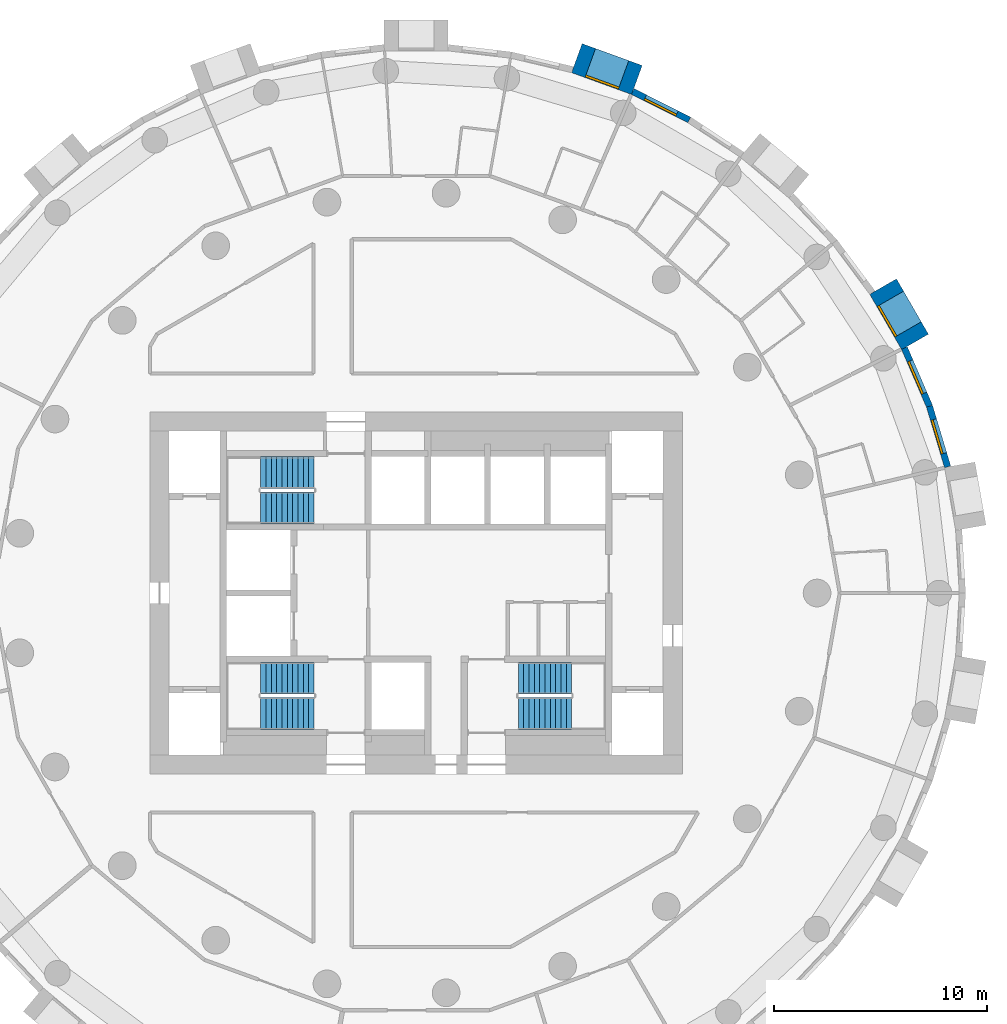
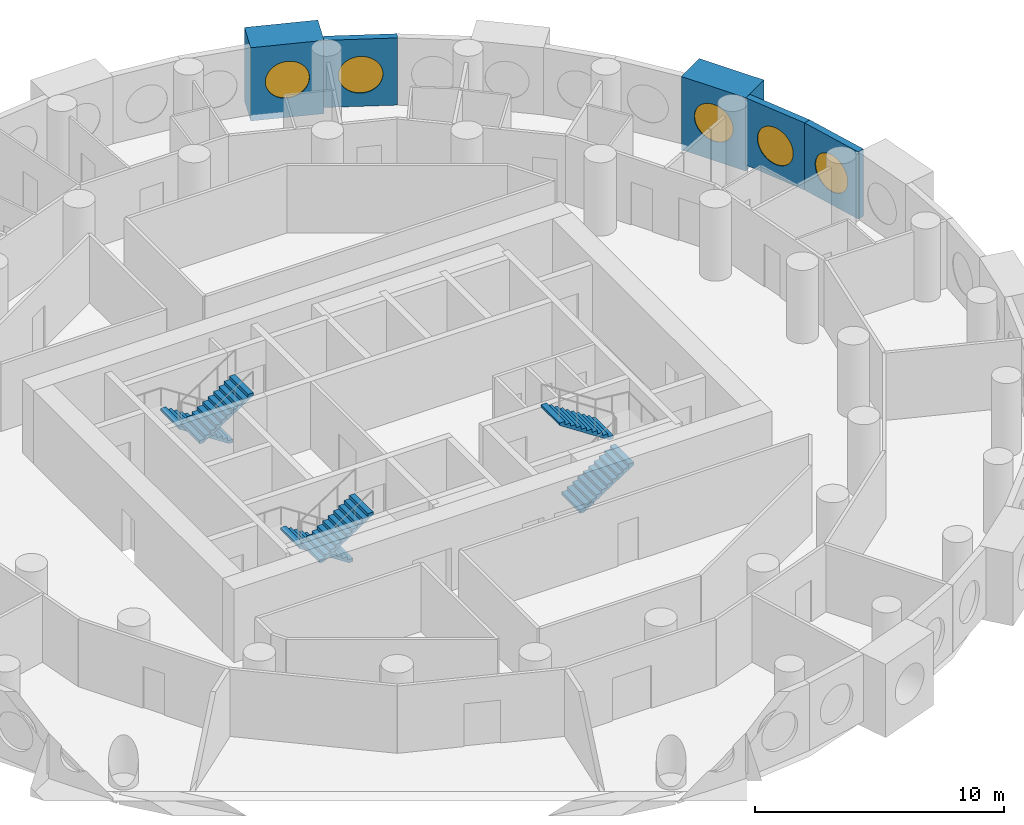
# One storey, part 8 of 9: 6 stair flights, 5 walls, 5 windows, 5 openings, 3 elements without a shape of their own.
"""IFC4 building model written with IfcOpenShell, lengths in metres."""

from ifc_helpers import new_model, si_unit, direction, frame, frame_2d, origin, origin_2d, place, context, subcontext, project, spatial, polyline, rectangle, circle, outline, extrude, material, layer, layer_set, type_object, element, fill, aggregate, save


model = new_model("IFC4")

# Units and contexts
model_context = context("Model", 3, precision=1e-05, world=origin(), true_north=direction((0.0, 1.0)))
body_context = subcontext(model_context, "Body", "Model", "MODEL_VIEW")
ifc_project = project(units=[si_unit("LENGTHUNIT", "METRE"), si_unit("AREAUNIT", "SQUARE_METRE"), si_unit("VOLUMEUNIT", "CUBIC_METRE"), si_unit("PLANEANGLEUNIT", "RADIAN"), si_unit("MASSUNIT", "GRAM", prefix="KILO")], contexts=[model_context])

# Site, building, storey
site_placement = place(None, origin())
site = spatial("IfcSite", under=ifc_project, at=site_placement, CompositionType="ELEMENT")
building_placement = place(site_placement, origin())
building = spatial("IfcBuilding", under=site, at=building_placement, Name="Tracery Tower", CompositionType="ELEMENT")
storey_placement = place(building_placement, frame((0.0, 0.0, 165.60009765625)))
storey = spatial("IfcBuildingStorey", under=building, at=storey_placement, Name="L42", CompositionType="ELEMENT", Elevation=165.60009765625)

# Wall, opening, window
ifc_material_1 = material(Name="Precast concrete C50/60", Category="concrete")
ifc_layer_1 = layer(ifc_material_1, 1.449951171875)
ifc_layer_set_1 = layer_set([ifc_layer_1], Name="Deep-set bay unit 3000 x 3600, slab edge 300")
wall_type_1 = type_object("IfcWallType", Name="Deep-set bay unit 3000 x 3600, slab edge 300", PredefinedType="ELEMENTEDWALL", material=ifc_layer_set_1)
wall_1_placement = place(storey_placement, frame((23.421630859375, 11.79052734375, -0.300048828125), z_axis=(0.0, 0.0, 1.0), x_axis=(-0.499990139034, 0.866031096941, 0.0)))
wall_1 = element("IfcWall", 1, at=wall_1_placement, inside=storey, type_object=wall_type_1, Name="Deep-set bay unit 5 at L42", PredefinedType="ELEMENTEDWALL", context=body_context, shape_type="SweptSolid", body=[
    extrude(rectangle(XDim=3.0, YDim=1.449951171875, at=frame_2d((1.5, 0.0))), origin(), (0.0, 0.0, 1.0), 3.599853515625),
])
opening_1_placement = place(wall_1_placement, frame((1.5, 0.0, 1.85009765625)))
opening_1 = element("IfcOpeningElement", 2, at=opening_1_placement, cuts=wall_1, Name="Opening WN1", PredefinedType="OPENING", context=body_context, shape_type="SweptSolid", body=[
    extrude(circle(Radius=0.9000244140625, at=origin_2d()), frame((0.0, 0.73486328125, 0.0), z_axis=(0.0, -1.0, 0.0), x_axis=(1.0, 0.0, 0.0)), (0.0, 0.0, 1.0), 1.469970703125),
])
ifc_material_2 = material(Name="Aluminium frame with tinted double glazing", Category="aluminium")
window_type = type_object("IfcWindowType", Name="Round window 1800", PartitioningType="SINGLE_PANEL", PredefinedType="WINDOW", material=ifc_material_2)
window_1_placement = place(opening_1_placement, origin())
window_1 = element("IfcWindow", 3, at=window_1_placement, inside=storey, type_object=window_type, Name="Round window 5 at L42", OverallHeight=1.800048828125, OverallWidth=1.800048828125, PartitioningType="SINGLE_PANEL", PredefinedType="WINDOW", context=body_context, shape_type="SweptSolid", body=[
    extrude(circle(Radius=0.9000244140625, at=origin_2d()), frame((0.0, 0.69482421875, 0.0), z_axis=(0.0, -1.0, 0.0), x_axis=(1.0, 0.0, 0.0)), (0.0, 0.0, 1.0), 0.10009765625),
])
fill(opening_1, window_1)

wall_2_placement = place(storey_placement, frame((10.36328125, 24.087158203125, -0.300048828125), z_axis=(0.0, 0.0, 1.0), x_axis=(-0.939686455819, 0.342037080957, 0.0)))
wall_2 = element("IfcWall", 4, at=wall_2_placement, inside=storey, type_object=wall_type_1, Name="Deep-set bay unit 11 at L42", PredefinedType="ELEMENTEDWALL", context=body_context, shape_type="SweptSolid", body=[
    extrude(rectangle(XDim=3.0, YDim=1.449951171875, at=frame_2d((1.5, 0.0))), origin(), (0.0, 0.0, 1.0), 3.599853515625),
])
opening_2_placement = place(wall_2_placement, frame((1.5, 0.0, 1.85009765625)))
opening_2 = element("IfcOpeningElement", 5, at=opening_2_placement, cuts=wall_2, Name="Opening WN1", PredefinedType="OPENING", context=body_context, shape_type="SweptSolid", body=[
    extrude(circle(Radius=0.9000244140625, at=origin_2d()), frame((0.0, 0.73486328125, 0.0), z_axis=(0.0, -1.0, 0.0), x_axis=(1.0, 0.0, 0.0)), (0.0, 0.0, 1.0), 1.469970703125),
])
window_2_placement = place(opening_2_placement, origin())
window_2 = element("IfcWindow", 6, at=window_2_placement, inside=storey, type_object=window_type, Name="Round window 11 at L42", OverallHeight=1.800048828125, OverallWidth=1.800048828125, PartitioningType="SINGLE_PANEL", PredefinedType="WINDOW", context=body_context, shape_type="SweptSolid", body=[
    extrude(circle(Radius=0.9000244140625, at=origin_2d()), frame((0.0, 0.69482421875, 0.0), z_axis=(0.0, -1.0, 0.0), x_axis=(1.0, 0.0, 0.0)), (0.0, 0.0, 1.0), 0.10009765625),
])
fill(opening_2, window_2)

ifc_material_3 = material(Name="Precast concrete C50/60", Category="concrete")
ifc_layer_2 = layer(ifc_material_3, 0.300048828125)
ifc_layer_set_2 = layer_set([ifc_layer_2], Name="Facade panel 3000 x 3300")
wall_type_2 = type_object("IfcWallType", Name="Facade panel 3000 x 3300", PredefinedType="SOLIDWALL", material=ifc_layer_set_2)
wall_3_placement = place(storey_placement, frame((24.953369140625, 5.924072265625, 0.0), z_axis=(0.0, 0.0, 1.0), x_axis=(-0.286782750849, 0.957995643944, 0.0)))
wall_3 = element("IfcWall", 7, at=wall_3_placement, inside=storey, type_object=wall_type_2, Name="Facade panel 3 at L42", PredefinedType="SOLIDWALL", context=body_context, shape_type="SweptSolid", body=[
    extrude(rectangle(XDim=2.97265625, YDim=0.300048828125, at=frame_2d((1.486328125, 0.0))), origin(), (0.0, 0.0, 1.0), 3.2998046875),
])
opening_3_placement = place(wall_3_placement, frame((1.486328125, 0.0, 1.5498046875)))
opening_3 = element("IfcOpeningElement", 8, at=opening_3_placement, cuts=wall_3, Name="Opening WN1", PredefinedType="OPENING", context=body_context, shape_type="SweptSolid", body=[
    extrude(circle(Radius=0.9000244140625, at=origin_2d()), frame((0.0, 0.159912109375, 0.0), z_axis=(0.0, -1.0, 0.0), x_axis=(1.0, 0.0, 0.0)), (0.0, 0.0, 1.0), 0.320068359375),
])
window_3_placement = place(opening_3_placement, origin())
window_3 = element("IfcWindow", 9, at=window_3_placement, inside=storey, type_object=window_type, Name="Round window 3 at L42", OverallHeight=1.800048828125, OverallWidth=1.800048828125, PartitioningType="SINGLE_PANEL", PredefinedType="WINDOW", context=body_context, shape_type="SweptSolid", body=[
    extrude(circle(Radius=0.9000244140625, at=origin_2d()), frame((0.0, 0.1201171875, 0.0), z_axis=(0.0, -1.0, 0.0), x_axis=(1.0, 0.0, 0.0)), (0.0, 0.0, 1.0), 0.10009765625),
])
fill(opening_3, window_3)

wall_4_placement = place(storey_placement, frame((24.100830078125, 8.77197265625, 0.0), z_axis=(0.0, 0.0, 1.0), x_axis=(-0.396148129016, 0.918186614952, 0.0)))
wall_4 = element("IfcWall", 10, at=wall_4_placement, inside=storey, type_object=wall_type_2, Name="Facade panel 4 at L42", PredefinedType="SOLIDWALL", context=body_context, shape_type="SweptSolid", body=[
    extrude(rectangle(XDim=2.972900390625, YDim=0.300048828125, at=frame_2d((1.486328125, 0.0))), origin(), (0.0, 0.0, 1.0), 3.2998046875),
])
opening_4_placement = place(wall_4_placement, frame((1.486328125, 0.0, 1.5498046875)))
opening_4 = element("IfcOpeningElement", 11, at=opening_4_placement, cuts=wall_4, Name="Opening WN1", PredefinedType="OPENING", context=body_context, shape_type="SweptSolid", body=[
    extrude(circle(Radius=0.9000244140625, at=origin_2d()), frame((0.0, 0.159912109375, 0.0), z_axis=(0.0, -1.0, 0.0), x_axis=(1.0, 0.0, 0.0)), (0.0, 0.0, 1.0), 0.320068359375),
])
window_4_placement = place(opening_4_placement, origin())
window_4 = element("IfcWindow", 12, at=window_4_placement, inside=storey, type_object=window_type, Name="Round window 4 at L42", OverallHeight=1.800048828125, OverallWidth=1.800048828125, PartitioningType="SINGLE_PANEL", PredefinedType="WINDOW", context=body_context, shape_type="SweptSolid", body=[
    extrude(circle(Radius=0.9000244140625, at=origin_2d()), frame((0.0, 0.1201171875, 0.0), z_axis=(0.0, -1.0, 0.0), x_axis=(1.0, 0.0, 0.0)), (0.0, 0.0, 1.0), 0.10009765625),
])
fill(opening_4, window_4)

wall_5_placement = place(storey_placement, frame((12.82373046875, 22.21142578125, 0.0), z_axis=(0.0, 0.0, 1.0), x_axis=(-0.893637442555, 0.448789618045, 0.0)))
wall_5 = element("IfcWall", 13, at=wall_5_placement, inside=storey, type_object=wall_type_2, Name="Facade panel 10 at L42", PredefinedType="SOLIDWALL", context=body_context, shape_type="SweptSolid", body=[
    extrude(rectangle(XDim=2.972900390625, YDim=0.300048828125, at=frame_2d((1.486328125, 0.0))), origin(), (0.0, 0.0, 1.0), 3.2998046875),
])
opening_5_placement = place(wall_5_placement, frame((1.486328125, 0.0, 1.5498046875)))
opening_5 = element("IfcOpeningElement", 14, at=opening_5_placement, cuts=wall_5, Name="Opening WN1", PredefinedType="OPENING", context=body_context, shape_type="SweptSolid", body=[
    extrude(circle(Radius=0.9000244140625, at=origin_2d()), frame((0.0, 0.159912109375, 0.0), z_axis=(0.0, -1.0, 0.0), x_axis=(1.0, 0.0, 0.0)), (0.0, 0.0, 1.0), 0.320068359375),
])
window_5_placement = place(opening_5_placement, origin())
window_5 = element("IfcWindow", 15, at=window_5_placement, inside=storey, type_object=window_type, Name="Round window 10 at L42", OverallHeight=1.800048828125, OverallWidth=1.800048828125, PartitioningType="SINGLE_PANEL", PredefinedType="WINDOW", context=body_context, shape_type="SweptSolid", body=[
    extrude(circle(Radius=0.9000244140625, at=origin_2d()), frame((0.0, 0.1201171875, 0.0), z_axis=(0.0, -1.0, 0.0), x_axis=(1.0, 0.0, 0.0)), (0.0, 0.0, 1.0), 0.10009765625),
])
fill(opening_5, window_5)

# Stair, stair flights
ifc_material_4 = material(Name="Concrete C32/40", Category="concrete")
stair_type = type_object("IfcStairType", Name="Core stair 22 risers", PredefinedType="HALF_TURN_STAIR", material=ifc_material_4)
stair_1_placement = place(storey_placement, origin())
stair_1 = element("IfcStair", 16, at=stair_1_placement, inside=storey, type_object=stair_type, Name="L42 stair ST1", PredefinedType="HALF_TURN_STAIR")
ifc_material_5 = material(Name="Concrete C32/40", Category="concrete")
stair_flight_type = type_object("IfcStairFlightType", Name="Core stair flight 11 risers", PredefinedType="STRAIGHT", material=ifc_material_5)
stair_flight_1_placement = place(storey_placement, frame((-4.800048828125, -4.0, 0.0), z_axis=(0.0, 0.0, 1.0), x_axis=(-1.0, 0.0, 0.0)))
stair_flight_1 = element("IfcStairFlight", 17, at=stair_flight_1_placement, type_object=stair_flight_type, Name="ST1 flight 1", NumberOfRisers=11, NumberOfTreads=10, PredefinedType="STRAIGHT", RiserHeight=0.163636364, TreadLength=0.25, context=body_context, shape_type="SweptSolid", body=[
    extrude(outline(polyline([(0.0, 0.0), (0.0, 0.002685546875), (0.0, 0.00537109375), (0.0, 0.008056640625), (0.0, 0.0107421875), (0.0, 0.013427734375), (0.0, 0.01611328125), (0.0, 0.018798828125), (0.0, 0.021484375), (0.0, 0.024169921875), (0.0, 0.02685546875), (0.0, 0.029541015625), (0.0, 0.0322265625), (0.0, 0.034912109375), (0.0, 0.03759765625), (0.0, 0.040283203125), (0.0, 0.04296875), (0.0, 0.045654296875), (0.0, 0.04833984375), (0.0, 0.051025390625), (0.0, 0.0537109375), (0.0, 0.056396484375), (0.0, 0.05908203125), (0.0, 0.061767578125), (0.0, 0.064453125), (0.0, 0.067138671875), (0.0, 0.06982421875), (0.0, 0.072509765625), (0.0, 0.0751953125), (0.0, 0.077880859375), (0.0, 0.08056640625), (0.0, 0.083251953125), (0.0, 0.0859375), (0.0, 0.088623046875), (0.0, 0.09130859375), (0.0, 0.093994140625), (0.0, 0.0966796875), (0.0, 0.099365234375), (0.0, 0.10205078125), (0.0, 0.104736328125), (0.0, 0.107421875), (0.0, 0.10986328125), (0.0, 0.112548828125), (0.0, 0.115234375), (0.0, 0.117919921875), (0.0, 0.12060546875), (0.0, 0.123291015625), (0.0, 0.1259765625), (0.0, 0.128662109375), (0.0, 0.13134765625), (0.0, 0.134033203125), (0.0, 0.13671875), (0.0, 0.139404296875), (0.0, 0.14208984375), (0.0, 0.144775390625), (0.0, 0.1474609375), (0.0, 0.150146484375), (0.0, 0.15283203125), (0.0, 0.155517578125), (0.0, 0.158203125), (0.0, 0.160888671875), (0.0, 0.16357421875), (0.25, 0.16357421875), (0.25, 0.327392578125), (0.5, 0.327392578125), (0.5, 0.490966796875), (0.75, 0.490966796875), (0.75, 0.654541015625), (1.0, 0.654541015625), (1.0, 0.818115234375), (1.25, 0.818115234375), (1.25, 0.98193359375), (1.5, 0.98193359375), (1.5, 1.1455078125), (1.75, 1.1455078125), (1.75, 1.30908203125), (2.0, 1.30908203125), (2.0, 1.47265625), (2.25, 1.47265625), (2.25, 1.636474609375), (2.5, 1.636474609375), (2.5, 1.634521484375), (2.5, 1.63232421875), (2.5, 1.63037109375), (2.5, 1.62841796875), (2.5, 1.62646484375), (2.5, 1.62451171875), (2.5, 1.62255859375), (2.5, 1.62060546875), (2.5, 1.61865234375), (2.5, 1.61669921875), (2.5, 1.61474609375), (2.5, 1.61279296875), (2.5, 1.61083984375), (2.5, 1.60888671875), (2.5, 1.60693359375), (2.5, 1.60498046875), (2.5, 1.60302734375), (2.5, 1.60107421875), (2.5, 1.59912109375), (2.5, 1.59716796875), (2.5, 1.59521484375), (2.5, 1.59326171875), (2.5, 1.59130859375), (2.5, 1.58935546875), (2.5, 1.58740234375), (2.5, 1.58544921875), (2.5, 1.58349609375), (2.5, 1.58154296875), (2.5, 1.57958984375), (2.5, 1.57763671875), (2.5, 1.57568359375), (2.5, 1.573486328125), (2.5, 1.571533203125), (2.5, 1.569580078125), (2.5, 1.567626953125), (2.5, 1.565673828125), (2.5, 1.563720703125), (2.5, 1.561767578125), (2.5, 1.559814453125), (2.5, 1.557861328125), (2.5, 1.555908203125), (2.5, 1.553955078125), (2.5, 1.552001953125), (2.5, 1.550048828125), (2.5, 1.548095703125), (2.5, 1.546142578125), (2.5, 1.544189453125), (2.5, 1.542236328125), (2.5, 1.540283203125), (2.5, 1.538330078125), (2.5, 1.536376953125), (2.5, 1.534423828125), (2.5, 1.532470703125), (2.5, 1.530517578125), (2.5, 1.528564453125), (2.5, 1.526611328125), (2.5, 1.524658203125), (2.5, 1.522705078125), (2.5, 1.520751953125), (2.5, 1.518798828125), (2.5, 1.516845703125), (0.182861328125, 0.0), (0.0, 0.0)])), frame((0.0, 0.75, 0.0), z_axis=(0.0, -1.0, 0.0), x_axis=(1.0, 0.0, 0.0)), (0.0, 0.0, 1.0), 1.5),
])
stair_flight_2_placement = place(storey_placement, frame((-7.300048828125, -5.64990234375, 1.7998046875), z_axis=(0.0, 0.0, 1.0), x_axis=(1.0, 0.0, 0.0)))
stair_flight_2 = element("IfcStairFlight", 18, at=stair_flight_2_placement, type_object=stair_flight_type, Name="ST1 flight 2", NumberOfRisers=11, NumberOfTreads=10, PredefinedType="STRAIGHT", RiserHeight=0.163636364, TreadLength=0.25, context=body_context, shape_type="SweptSolid", body=[
    extrude(outline(polyline([(0.0, 0.0), (0.0, 0.002685546875), (0.0, 0.00537109375), (0.0, 0.008056640625), (0.0, 0.0107421875), (0.0, 0.013427734375), (0.0, 0.01611328125), (0.0, 0.018798828125), (0.0, 0.021484375), (0.0, 0.024169921875), (0.0, 0.02685546875), (0.0, 0.029541015625), (0.0, 0.0322265625), (0.0, 0.034912109375), (0.0, 0.03759765625), (0.0, 0.040283203125), (0.0, 0.04296875), (0.0, 0.045654296875), (0.0, 0.04833984375), (0.0, 0.051025390625), (0.0, 0.0537109375), (0.0, 0.056396484375), (0.0, 0.05908203125), (0.0, 0.061767578125), (0.0, 0.064453125), (0.0, 0.067138671875), (0.0, 0.06982421875), (0.0, 0.072509765625), (0.0, 0.0751953125), (0.0, 0.077880859375), (0.0, 0.08056640625), (0.0, 0.083251953125), (0.0, 0.0859375), (0.0, 0.088623046875), (0.0, 0.09130859375), (0.0, 0.093994140625), (0.0, 0.0966796875), (0.0, 0.099365234375), (0.0, 0.10205078125), (0.0, 0.104736328125), (0.0, 0.107421875), (0.0, 0.10986328125), (0.0, 0.112548828125), (0.0, 0.115234375), (0.0, 0.117919921875), (0.0, 0.12060546875), (0.0, 0.123291015625), (0.0, 0.1259765625), (0.0, 0.128662109375), (0.0, 0.13134765625), (0.0, 0.134033203125), (0.0, 0.13671875), (0.0, 0.139404296875), (0.0, 0.14208984375), (0.0, 0.144775390625), (0.0, 0.1474609375), (0.0, 0.150146484375), (0.0, 0.15283203125), (0.0, 0.155517578125), (0.0, 0.158203125), (0.0, 0.160888671875), (0.0, 0.16357421875), (0.25, 0.16357421875), (0.25, 0.327392578125), (0.5, 0.327392578125), (0.5, 0.490966796875), (0.75, 0.490966796875), (0.75, 0.654541015625), (1.0, 0.654541015625), (1.0, 0.818115234375), (1.25, 0.818115234375), (1.25, 0.98193359375), (1.5, 0.98193359375), (1.5, 1.1455078125), (1.75, 1.1455078125), (1.75, 1.30908203125), (2.0, 1.30908203125), (2.0, 1.47265625), (2.25, 1.47265625), (2.25, 1.636474609375), (2.5, 1.636474609375), (2.5, 1.634521484375), (2.5, 1.63232421875), (2.5, 1.63037109375), (2.5, 1.62841796875), (2.5, 1.62646484375), (2.5, 1.62451171875), (2.5, 1.62255859375), (2.5, 1.62060546875), (2.5, 1.61865234375), (2.5, 1.61669921875), (2.5, 1.61474609375), (2.5, 1.61279296875), (2.5, 1.61083984375), (2.5, 1.60888671875), (2.5, 1.60693359375), (2.5, 1.60498046875), (2.5, 1.60302734375), (2.5, 1.60107421875), (2.5, 1.59912109375), (2.5, 1.59716796875), (2.5, 1.59521484375), (2.5, 1.59326171875), (2.5, 1.59130859375), (2.5, 1.58935546875), (2.5, 1.58740234375), (2.5, 1.58544921875), (2.5, 1.58349609375), (2.5, 1.58154296875), (2.5, 1.57958984375), (2.5, 1.57763671875), (2.5, 1.57568359375), (2.5, 1.573486328125), (2.5, 1.571533203125), (2.5, 1.569580078125), (2.5, 1.567626953125), (2.5, 1.565673828125), (2.5, 1.563720703125), (2.5, 1.561767578125), (2.5, 1.559814453125), (2.5, 1.557861328125), (2.5, 1.555908203125), (2.5, 1.553955078125), (2.5, 1.552001953125), (2.5, 1.550048828125), (2.5, 1.548095703125), (2.5, 1.546142578125), (2.5, 1.544189453125), (2.5, 1.542236328125), (2.5, 1.540283203125), (2.5, 1.538330078125), (2.5, 1.536376953125), (2.5, 1.534423828125), (2.5, 1.532470703125), (2.5, 1.530517578125), (2.5, 1.528564453125), (2.5, 1.526611328125), (2.5, 1.524658203125), (2.5, 1.522705078125), (2.5, 1.520751953125), (2.5, 1.518798828125), (2.5, 1.516845703125), (0.182861328125, 0.0), (0.0, 0.0)])), frame((0.0, 0.75, 0.0), z_axis=(0.0, -1.0, 0.0), x_axis=(1.0, 0.0, 0.0)), (0.0, 0.0, 1.0), 1.5),
])
aggregate(stair_1, [stair_flight_1, stair_flight_2])

stair_2_placement = place(storey_placement, origin())
stair_2 = element("IfcStair", 19, at=stair_2_placement, inside=storey, type_object=stair_type, Name="L42 stair ST3", PredefinedType="HALF_TURN_STAIR")
stair_flight_3_placement = place(storey_placement, frame((-4.800048828125, 5.64990234375, 0.0), z_axis=(0.0, 0.0, 1.0), x_axis=(-1.0, 0.0, 0.0)))
stair_flight_3 = element("IfcStairFlight", 20, at=stair_flight_3_placement, type_object=stair_flight_type, Name="ST3 flight 1", NumberOfRisers=11, NumberOfTreads=10, PredefinedType="STRAIGHT", RiserHeight=0.163636364, TreadLength=0.25, context=body_context, shape_type="SweptSolid", body=[
    extrude(outline(polyline([(0.0, 0.0), (0.0, 0.002685546875), (0.0, 0.00537109375), (0.0, 0.008056640625), (0.0, 0.0107421875), (0.0, 0.013427734375), (0.0, 0.01611328125), (0.0, 0.018798828125), (0.0, 0.021484375), (0.0, 0.024169921875), (0.0, 0.02685546875), (0.0, 0.029541015625), (0.0, 0.0322265625), (0.0, 0.034912109375), (0.0, 0.03759765625), (0.0, 0.040283203125), (0.0, 0.04296875), (0.0, 0.045654296875), (0.0, 0.04833984375), (0.0, 0.051025390625), (0.0, 0.0537109375), (0.0, 0.056396484375), (0.0, 0.05908203125), (0.0, 0.061767578125), (0.0, 0.064453125), (0.0, 0.067138671875), (0.0, 0.06982421875), (0.0, 0.072509765625), (0.0, 0.0751953125), (0.0, 0.077880859375), (0.0, 0.08056640625), (0.0, 0.083251953125), (0.0, 0.0859375), (0.0, 0.088623046875), (0.0, 0.09130859375), (0.0, 0.093994140625), (0.0, 0.0966796875), (0.0, 0.099365234375), (0.0, 0.10205078125), (0.0, 0.104736328125), (0.0, 0.107421875), (0.0, 0.10986328125), (0.0, 0.112548828125), (0.0, 0.115234375), (0.0, 0.117919921875), (0.0, 0.12060546875), (0.0, 0.123291015625), (0.0, 0.1259765625), (0.0, 0.128662109375), (0.0, 0.13134765625), (0.0, 0.134033203125), (0.0, 0.13671875), (0.0, 0.139404296875), (0.0, 0.14208984375), (0.0, 0.144775390625), (0.0, 0.1474609375), (0.0, 0.150146484375), (0.0, 0.15283203125), (0.0, 0.155517578125), (0.0, 0.158203125), (0.0, 0.160888671875), (0.0, 0.16357421875), (0.25, 0.16357421875), (0.25, 0.327392578125), (0.5, 0.327392578125), (0.5, 0.490966796875), (0.75, 0.490966796875), (0.75, 0.654541015625), (1.0, 0.654541015625), (1.0, 0.818115234375), (1.25, 0.818115234375), (1.25, 0.98193359375), (1.5, 0.98193359375), (1.5, 1.1455078125), (1.75, 1.1455078125), (1.75, 1.30908203125), (2.0, 1.30908203125), (2.0, 1.47265625), (2.25, 1.47265625), (2.25, 1.636474609375), (2.5, 1.636474609375), (2.5, 1.634521484375), (2.5, 1.63232421875), (2.5, 1.63037109375), (2.5, 1.62841796875), (2.5, 1.62646484375), (2.5, 1.62451171875), (2.5, 1.62255859375), (2.5, 1.62060546875), (2.5, 1.61865234375), (2.5, 1.61669921875), (2.5, 1.61474609375), (2.5, 1.61279296875), (2.5, 1.61083984375), (2.5, 1.60888671875), (2.5, 1.60693359375), (2.5, 1.60498046875), (2.5, 1.60302734375), (2.5, 1.60107421875), (2.5, 1.59912109375), (2.5, 1.59716796875), (2.5, 1.59521484375), (2.5, 1.59326171875), (2.5, 1.59130859375), (2.5, 1.58935546875), (2.5, 1.58740234375), (2.5, 1.58544921875), (2.5, 1.58349609375), (2.5, 1.58154296875), (2.5, 1.57958984375), (2.5, 1.57763671875), (2.5, 1.57568359375), (2.5, 1.573486328125), (2.5, 1.571533203125), (2.5, 1.569580078125), (2.5, 1.567626953125), (2.5, 1.565673828125), (2.5, 1.563720703125), (2.5, 1.561767578125), (2.5, 1.559814453125), (2.5, 1.557861328125), (2.5, 1.555908203125), (2.5, 1.553955078125), (2.5, 1.552001953125), (2.5, 1.550048828125), (2.5, 1.548095703125), (2.5, 1.546142578125), (2.5, 1.544189453125), (2.5, 1.542236328125), (2.5, 1.540283203125), (2.5, 1.538330078125), (2.5, 1.536376953125), (2.5, 1.534423828125), (2.5, 1.532470703125), (2.5, 1.530517578125), (2.5, 1.528564453125), (2.5, 1.526611328125), (2.5, 1.524658203125), (2.5, 1.522705078125), (2.5, 1.520751953125), (2.5, 1.518798828125), (2.5, 1.516845703125), (0.182861328125, 0.0), (0.0, 0.0)])), frame((0.0, 0.75, 0.0), z_axis=(0.0, -1.0, 0.0), x_axis=(1.0, 0.0, 0.0)), (0.0, 0.0, 1.0), 1.5),
])
stair_flight_4_placement = place(storey_placement, frame((-7.300048828125, 4.0, 1.7998046875), z_axis=(0.0, 0.0, 1.0), x_axis=(1.0, 0.0, 0.0)))
stair_flight_4 = element("IfcStairFlight", 21, at=stair_flight_4_placement, type_object=stair_flight_type, Name="ST3 flight 2", NumberOfRisers=11, NumberOfTreads=10, PredefinedType="STRAIGHT", RiserHeight=0.163636364, TreadLength=0.25, context=body_context, shape_type="SweptSolid", body=[
    extrude(outline(polyline([(0.0, 0.0), (0.0, 0.002685546875), (0.0, 0.00537109375), (0.0, 0.008056640625), (0.0, 0.0107421875), (0.0, 0.013427734375), (0.0, 0.01611328125), (0.0, 0.018798828125), (0.0, 0.021484375), (0.0, 0.024169921875), (0.0, 0.02685546875), (0.0, 0.029541015625), (0.0, 0.0322265625), (0.0, 0.034912109375), (0.0, 0.03759765625), (0.0, 0.040283203125), (0.0, 0.04296875), (0.0, 0.045654296875), (0.0, 0.04833984375), (0.0, 0.051025390625), (0.0, 0.0537109375), (0.0, 0.056396484375), (0.0, 0.05908203125), (0.0, 0.061767578125), (0.0, 0.064453125), (0.0, 0.067138671875), (0.0, 0.06982421875), (0.0, 0.072509765625), (0.0, 0.0751953125), (0.0, 0.077880859375), (0.0, 0.08056640625), (0.0, 0.083251953125), (0.0, 0.0859375), (0.0, 0.088623046875), (0.0, 0.09130859375), (0.0, 0.093994140625), (0.0, 0.0966796875), (0.0, 0.099365234375), (0.0, 0.10205078125), (0.0, 0.104736328125), (0.0, 0.107421875), (0.0, 0.10986328125), (0.0, 0.112548828125), (0.0, 0.115234375), (0.0, 0.117919921875), (0.0, 0.12060546875), (0.0, 0.123291015625), (0.0, 0.1259765625), (0.0, 0.128662109375), (0.0, 0.13134765625), (0.0, 0.134033203125), (0.0, 0.13671875), (0.0, 0.139404296875), (0.0, 0.14208984375), (0.0, 0.144775390625), (0.0, 0.1474609375), (0.0, 0.150146484375), (0.0, 0.15283203125), (0.0, 0.155517578125), (0.0, 0.158203125), (0.0, 0.160888671875), (0.0, 0.16357421875), (0.25, 0.16357421875), (0.25, 0.327392578125), (0.5, 0.327392578125), (0.5, 0.490966796875), (0.75, 0.490966796875), (0.75, 0.654541015625), (1.0, 0.654541015625), (1.0, 0.818115234375), (1.25, 0.818115234375), (1.25, 0.98193359375), (1.5, 0.98193359375), (1.5, 1.1455078125), (1.75, 1.1455078125), (1.75, 1.30908203125), (2.0, 1.30908203125), (2.0, 1.47265625), (2.25, 1.47265625), (2.25, 1.636474609375), (2.5, 1.636474609375), (2.5, 1.634521484375), (2.5, 1.63232421875), (2.5, 1.63037109375), (2.5, 1.62841796875), (2.5, 1.62646484375), (2.5, 1.62451171875), (2.5, 1.62255859375), (2.5, 1.62060546875), (2.5, 1.61865234375), (2.5, 1.61669921875), (2.5, 1.61474609375), (2.5, 1.61279296875), (2.5, 1.61083984375), (2.5, 1.60888671875), (2.5, 1.60693359375), (2.5, 1.60498046875), (2.5, 1.60302734375), (2.5, 1.60107421875), (2.5, 1.59912109375), (2.5, 1.59716796875), (2.5, 1.59521484375), (2.5, 1.59326171875), (2.5, 1.59130859375), (2.5, 1.58935546875), (2.5, 1.58740234375), (2.5, 1.58544921875), (2.5, 1.58349609375), (2.5, 1.58154296875), (2.5, 1.57958984375), (2.5, 1.57763671875), (2.5, 1.57568359375), (2.5, 1.573486328125), (2.5, 1.571533203125), (2.5, 1.569580078125), (2.5, 1.567626953125), (2.5, 1.565673828125), (2.5, 1.563720703125), (2.5, 1.561767578125), (2.5, 1.559814453125), (2.5, 1.557861328125), (2.5, 1.555908203125), (2.5, 1.553955078125), (2.5, 1.552001953125), (2.5, 1.550048828125), (2.5, 1.548095703125), (2.5, 1.546142578125), (2.5, 1.544189453125), (2.5, 1.542236328125), (2.5, 1.540283203125), (2.5, 1.538330078125), (2.5, 1.536376953125), (2.5, 1.534423828125), (2.5, 1.532470703125), (2.5, 1.530517578125), (2.5, 1.528564453125), (2.5, 1.526611328125), (2.5, 1.524658203125), (2.5, 1.522705078125), (2.5, 1.520751953125), (2.5, 1.518798828125), (2.5, 1.516845703125), (0.182861328125, 0.0), (0.0, 0.0)])), frame((0.0, 0.75, 0.0), z_axis=(0.0, -1.0, 0.0), x_axis=(1.0, 0.0, 0.0)), (0.0, 0.0, 1.0), 1.5),
])
aggregate(stair_2, [stair_flight_3, stair_flight_4])

stair_3_placement = place(storey_placement, origin())
stair_3 = element("IfcStair", 22, at=stair_3_placement, inside=storey, type_object=stair_type, Name="L42 stair ST2", PredefinedType="HALF_TURN_STAIR")
stair_flight_5_placement = place(storey_placement, frame((4.800048828125, -5.64990234375, 0.0), z_axis=(0.0, 0.0, 1.0), x_axis=(1.0, 0.0, 0.0)))
stair_flight_5 = element("IfcStairFlight", 23, at=stair_flight_5_placement, type_object=stair_flight_type, Name="ST2 flight 1", NumberOfRisers=11, NumberOfTreads=10, PredefinedType="STRAIGHT", RiserHeight=0.163636364, TreadLength=0.25, context=body_context, shape_type="SweptSolid", body=[
    extrude(outline(polyline([(0.0, 0.0), (0.0, 0.002685546875), (0.0, 0.00537109375), (0.0, 0.008056640625), (0.0, 0.0107421875), (0.0, 0.013427734375), (0.0, 0.01611328125), (0.0, 0.018798828125), (0.0, 0.021484375), (0.0, 0.024169921875), (0.0, 0.02685546875), (0.0, 0.029541015625), (0.0, 0.0322265625), (0.0, 0.034912109375), (0.0, 0.03759765625), (0.0, 0.040283203125), (0.0, 0.04296875), (0.0, 0.045654296875), (0.0, 0.04833984375), (0.0, 0.051025390625), (0.0, 0.0537109375), (0.0, 0.056396484375), (0.0, 0.05908203125), (0.0, 0.061767578125), (0.0, 0.064453125), (0.0, 0.067138671875), (0.0, 0.06982421875), (0.0, 0.072509765625), (0.0, 0.0751953125), (0.0, 0.077880859375), (0.0, 0.08056640625), (0.0, 0.083251953125), (0.0, 0.0859375), (0.0, 0.088623046875), (0.0, 0.09130859375), (0.0, 0.093994140625), (0.0, 0.0966796875), (0.0, 0.099365234375), (0.0, 0.10205078125), (0.0, 0.104736328125), (0.0, 0.107421875), (0.0, 0.10986328125), (0.0, 0.112548828125), (0.0, 0.115234375), (0.0, 0.117919921875), (0.0, 0.12060546875), (0.0, 0.123291015625), (0.0, 0.1259765625), (0.0, 0.128662109375), (0.0, 0.13134765625), (0.0, 0.134033203125), (0.0, 0.13671875), (0.0, 0.139404296875), (0.0, 0.14208984375), (0.0, 0.144775390625), (0.0, 0.1474609375), (0.0, 0.150146484375), (0.0, 0.15283203125), (0.0, 0.155517578125), (0.0, 0.158203125), (0.0, 0.160888671875), (0.0, 0.16357421875), (0.25, 0.16357421875), (0.25, 0.327392578125), (0.5, 0.327392578125), (0.5, 0.490966796875), (0.75, 0.490966796875), (0.75, 0.654541015625), (1.0, 0.654541015625), (1.0, 0.818115234375), (1.25, 0.818115234375), (1.25, 0.98193359375), (1.5, 0.98193359375), (1.5, 1.1455078125), (1.75, 1.1455078125), (1.75, 1.30908203125), (2.0, 1.30908203125), (2.0, 1.47265625), (2.25, 1.47265625), (2.25, 1.636474609375), (2.5, 1.636474609375), (2.5, 1.634521484375), (2.5, 1.63232421875), (2.5, 1.63037109375), (2.5, 1.62841796875), (2.5, 1.62646484375), (2.5, 1.62451171875), (2.5, 1.62255859375), (2.5, 1.62060546875), (2.5, 1.61865234375), (2.5, 1.61669921875), (2.5, 1.61474609375), (2.5, 1.61279296875), (2.5, 1.61083984375), (2.5, 1.60888671875), (2.5, 1.60693359375), (2.5, 1.60498046875), (2.5, 1.60302734375), (2.5, 1.60107421875), (2.5, 1.59912109375), (2.5, 1.59716796875), (2.5, 1.59521484375), (2.5, 1.59326171875), (2.5, 1.59130859375), (2.5, 1.58935546875), (2.5, 1.58740234375), (2.5, 1.58544921875), (2.5, 1.58349609375), (2.5, 1.58154296875), (2.5, 1.57958984375), (2.5, 1.57763671875), (2.5, 1.57568359375), (2.5, 1.573486328125), (2.5, 1.571533203125), (2.5, 1.569580078125), (2.5, 1.567626953125), (2.5, 1.565673828125), (2.5, 1.563720703125), (2.5, 1.561767578125), (2.5, 1.559814453125), (2.5, 1.557861328125), (2.5, 1.555908203125), (2.5, 1.553955078125), (2.5, 1.552001953125), (2.5, 1.550048828125), (2.5, 1.548095703125), (2.5, 1.546142578125), (2.5, 1.544189453125), (2.5, 1.542236328125), (2.5, 1.540283203125), (2.5, 1.538330078125), (2.5, 1.536376953125), (2.5, 1.534423828125), (2.5, 1.532470703125), (2.5, 1.530517578125), (2.5, 1.528564453125), (2.5, 1.526611328125), (2.5, 1.524658203125), (2.5, 1.522705078125), (2.5, 1.520751953125), (2.5, 1.518798828125), (2.5, 1.516845703125), (0.182861328125, 0.0), (0.0, 0.0)])), frame((0.0, 0.75, 0.0), z_axis=(0.0, -1.0, 0.0), x_axis=(1.0, 0.0, 0.0)), (0.0, 0.0, 1.0), 1.5),
])
stair_flight_6_placement = place(storey_placement, frame((7.300048828125, -4.0, 1.7998046875), z_axis=(0.0, 0.0, 1.0), x_axis=(-1.0, 0.0, 0.0)))
stair_flight_6 = element("IfcStairFlight", 24, at=stair_flight_6_placement, type_object=stair_flight_type, Name="ST2 flight 2", NumberOfRisers=11, NumberOfTreads=10, PredefinedType="STRAIGHT", RiserHeight=0.163636364, TreadLength=0.25, context=body_context, shape_type="SweptSolid", body=[
    extrude(outline(polyline([(0.0, 0.0), (0.0, 0.002685546875), (0.0, 0.00537109375), (0.0, 0.008056640625), (0.0, 0.0107421875), (0.0, 0.013427734375), (0.0, 0.01611328125), (0.0, 0.018798828125), (0.0, 0.021484375), (0.0, 0.024169921875), (0.0, 0.02685546875), (0.0, 0.029541015625), (0.0, 0.0322265625), (0.0, 0.034912109375), (0.0, 0.03759765625), (0.0, 0.040283203125), (0.0, 0.04296875), (0.0, 0.045654296875), (0.0, 0.04833984375), (0.0, 0.051025390625), (0.0, 0.0537109375), (0.0, 0.056396484375), (0.0, 0.05908203125), (0.0, 0.061767578125), (0.0, 0.064453125), (0.0, 0.067138671875), (0.0, 0.06982421875), (0.0, 0.072509765625), (0.0, 0.0751953125), (0.0, 0.077880859375), (0.0, 0.08056640625), (0.0, 0.083251953125), (0.0, 0.0859375), (0.0, 0.088623046875), (0.0, 0.09130859375), (0.0, 0.093994140625), (0.0, 0.0966796875), (0.0, 0.099365234375), (0.0, 0.10205078125), (0.0, 0.104736328125), (0.0, 0.107421875), (0.0, 0.10986328125), (0.0, 0.112548828125), (0.0, 0.115234375), (0.0, 0.117919921875), (0.0, 0.12060546875), (0.0, 0.123291015625), (0.0, 0.1259765625), (0.0, 0.128662109375), (0.0, 0.13134765625), (0.0, 0.134033203125), (0.0, 0.13671875), (0.0, 0.139404296875), (0.0, 0.14208984375), (0.0, 0.144775390625), (0.0, 0.1474609375), (0.0, 0.150146484375), (0.0, 0.15283203125), (0.0, 0.155517578125), (0.0, 0.158203125), (0.0, 0.160888671875), (0.0, 0.16357421875), (0.25, 0.16357421875), (0.25, 0.327392578125), (0.5, 0.327392578125), (0.5, 0.490966796875), (0.75, 0.490966796875), (0.75, 0.654541015625), (1.0, 0.654541015625), (1.0, 0.818115234375), (1.25, 0.818115234375), (1.25, 0.98193359375), (1.5, 0.98193359375), (1.5, 1.1455078125), (1.75, 1.1455078125), (1.75, 1.30908203125), (2.0, 1.30908203125), (2.0, 1.47265625), (2.25, 1.47265625), (2.25, 1.636474609375), (2.5, 1.636474609375), (2.5, 1.634521484375), (2.5, 1.63232421875), (2.5, 1.63037109375), (2.5, 1.62841796875), (2.5, 1.62646484375), (2.5, 1.62451171875), (2.5, 1.62255859375), (2.5, 1.62060546875), (2.5, 1.61865234375), (2.5, 1.61669921875), (2.5, 1.61474609375), (2.5, 1.61279296875), (2.5, 1.61083984375), (2.5, 1.60888671875), (2.5, 1.60693359375), (2.5, 1.60498046875), (2.5, 1.60302734375), (2.5, 1.60107421875), (2.5, 1.59912109375), (2.5, 1.59716796875), (2.5, 1.59521484375), (2.5, 1.59326171875), (2.5, 1.59130859375), (2.5, 1.58935546875), (2.5, 1.58740234375), (2.5, 1.58544921875), (2.5, 1.58349609375), (2.5, 1.58154296875), (2.5, 1.57958984375), (2.5, 1.57763671875), (2.5, 1.57568359375), (2.5, 1.573486328125), (2.5, 1.571533203125), (2.5, 1.569580078125), (2.5, 1.567626953125), (2.5, 1.565673828125), (2.5, 1.563720703125), (2.5, 1.561767578125), (2.5, 1.559814453125), (2.5, 1.557861328125), (2.5, 1.555908203125), (2.5, 1.553955078125), (2.5, 1.552001953125), (2.5, 1.550048828125), (2.5, 1.548095703125), (2.5, 1.546142578125), (2.5, 1.544189453125), (2.5, 1.542236328125), (2.5, 1.540283203125), (2.5, 1.538330078125), (2.5, 1.536376953125), (2.5, 1.534423828125), (2.5, 1.532470703125), (2.5, 1.530517578125), (2.5, 1.528564453125), (2.5, 1.526611328125), (2.5, 1.524658203125), (2.5, 1.522705078125), (2.5, 1.520751953125), (2.5, 1.518798828125), (2.5, 1.516845703125), (0.182861328125, 0.0), (0.0, 0.0)])), frame((0.0, 0.75, 0.0), z_axis=(0.0, -1.0, 0.0), x_axis=(1.0, 0.0, 0.0)), (0.0, 0.0, 1.0), 1.5),
])
aggregate(stair_3, [stair_flight_5, stair_flight_6])

save(model, "model.ifc")
